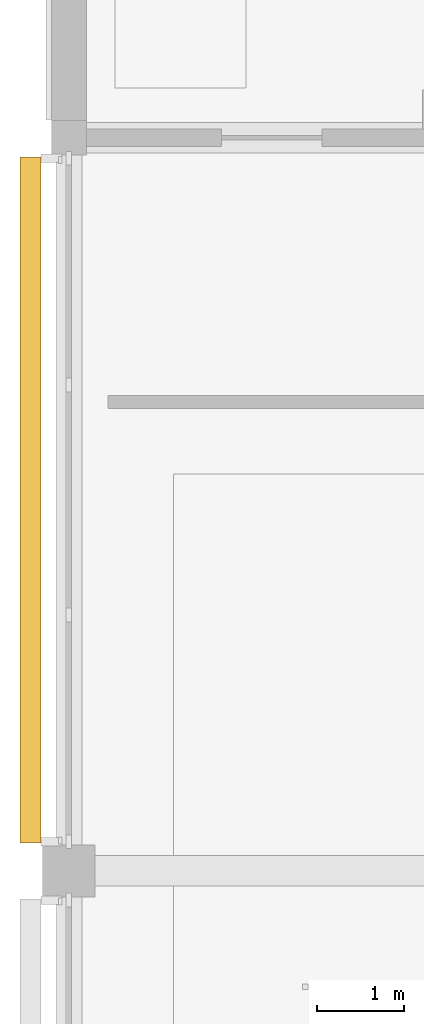
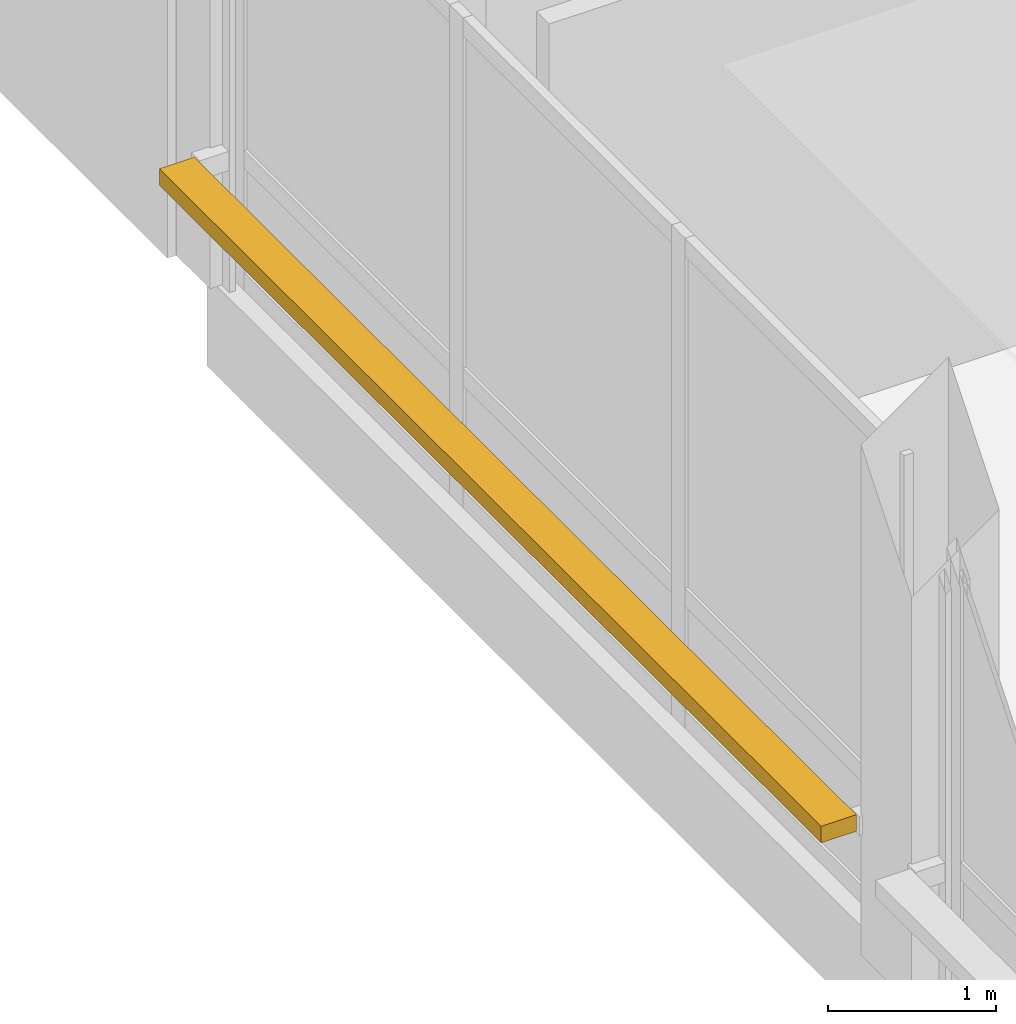
# One storey, part 16 of 25: 1 shading device.
"""IFC4 building model written with IfcOpenShell, lengths in metres."""

from ifc_helpers import new_model, si_unit, direction, frame, origin, origin_2d, place, context, subcontext, project, spatial, rectangle, extrude, material, layer, layer_set, type_object, element, save


model = new_model("IFC4")

# Units and contexts
model_context = context("Model", 3, precision=1e-05, world=origin(), true_north=direction((0.0, 1.0)))
body_context = subcontext(model_context, "Body", "Model", "MODEL_VIEW")
ifc_project = project(units=[si_unit("LENGTHUNIT", "METRE"), si_unit("AREAUNIT", "SQUARE_METRE"), si_unit("VOLUMEUNIT", "CUBIC_METRE"), si_unit("PLANEANGLEUNIT", "RADIAN"), si_unit("MASSUNIT", "GRAM", prefix="KILO")], contexts=[model_context])

# Site, building, storey
site_placement = place(None, origin())
site = spatial("IfcSite", under=ifc_project, at=site_placement, CompositionType="ELEMENT")
building_placement = place(site_placement, origin())
building = spatial("IfcBuilding", under=site, at=building_placement, Name="Telukmera Botanical Conservatory", CompositionType="ELEMENT")
storey_placement = place(building_placement, frame((0.0, 0.0, 64.5)))
storey = spatial("IfcBuildingStorey", under=building, at=storey_placement, Name="L14", CompositionType="ELEMENT", Elevation=64.5)

# Shading device
ifc_material = material(Name="Perforated terracotta-anodised aluminium 6063-T6", Category="masonry")
ifc_layer = layer(ifc_material, 0.044921875)
ifc_layer_set = layer_set([ifc_layer], Name="Perforated terracotta-anodised aluminium 6063-T6")
shading_device_type = type_object("IfcShadingDeviceType", Name="Perforated Terracotta Aluminium Monsoon Brise Soleil", PredefinedType="JALOUSIE", material=ifc_layer_set)
shading_device_placement = place(storey_placement, frame((58.360107421875, 21.85009765625, 0.889892578125), z_axis=(0.0, 0.0, 1.0), x_axis=(0.0, 1.0, 0.0)))
element("IfcShadingDevice", 1, at=shading_device_placement, inside=storey, type_object=shading_device_type, Name="Monsoon Shading BS01 V4:L14:W2", PredefinedType="JALOUSIE", context=body_context, shape_type="SweptSolid", body=[
    extrude(rectangle(XDim=7.85595703125, YDim=0.239990234375, at=origin_2d()), origin(), (0.0, 0.0, 1.0), 0.1201171875),
])

save(model, "model.ifc")
